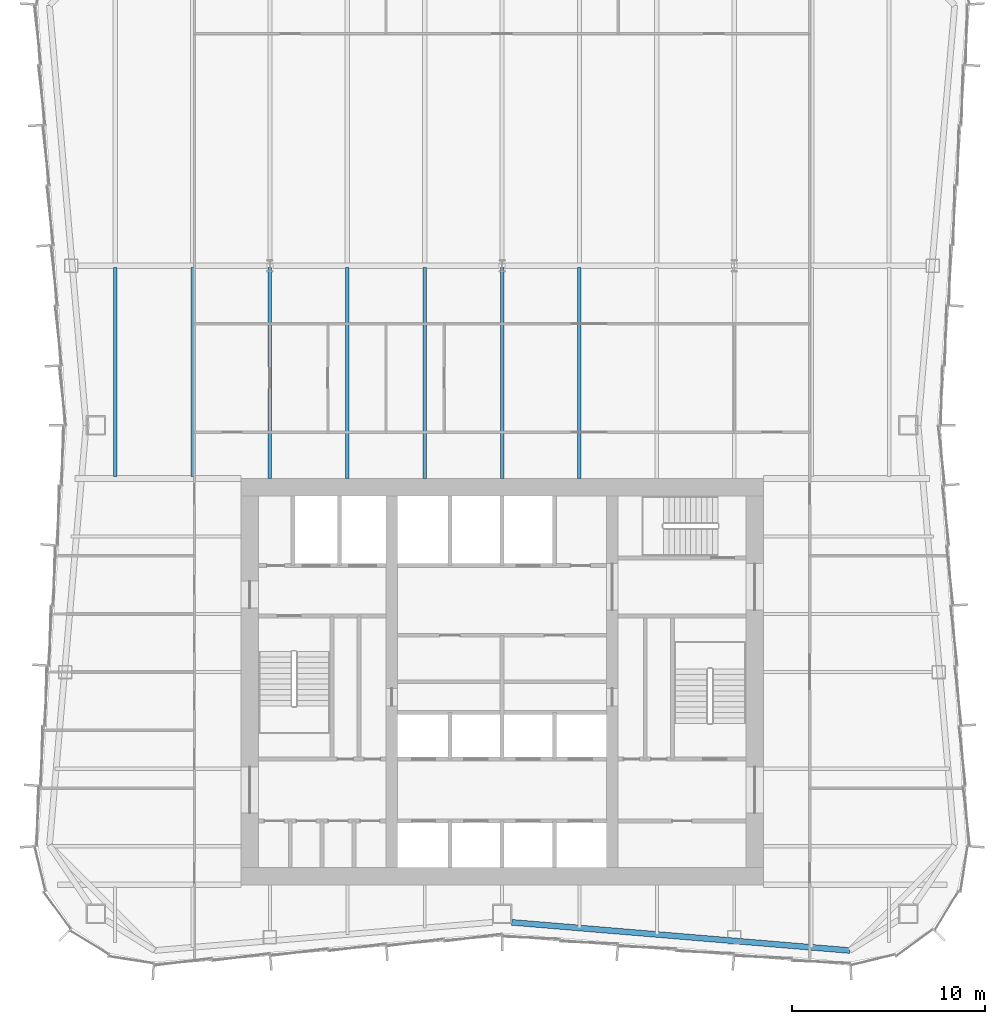
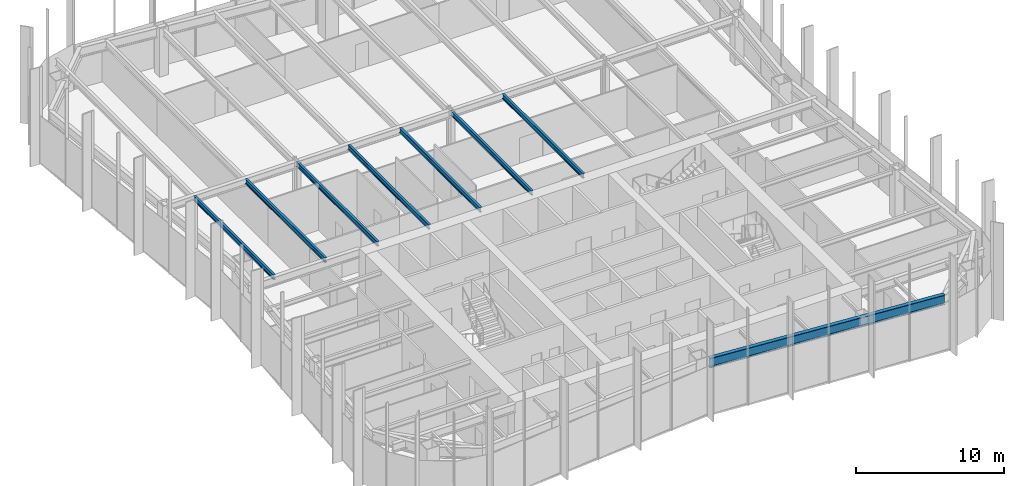
# One storey, part 3 of 13: 8 beams.
"""IFC4 building model written with IfcOpenShell, lengths in metres."""

import ifcopenshell
import ifcopenshell.guid

model = None  # the IFC model being written
_history = None  # IfcOwnerHistory: only IFC2X3 demands one
_inside = {}  # id of a spatial element -> (the spatial element, [elements in it])
_under = {}  # id of a project, library or spatial element -> (it, [spatial elements below it])
_declared = {}  # id of a project -> (the project, [libraries it declares])
_typed = {}  # id of a type object -> (the type object, [elements of that type])
_made_of = {}  # id of a material, layer set ... -> (it, [elements and type objects made of it])


def new_model(schema):
    """Start an empty IFC model of exactly this schema.

    Asked for "IFC4X3", IfcOpenShell would pick the latest addendum, in which some entities
    have other attributes; the version numbers below select the first issue.
    IFC2X3 requires an IfcOwnerHistory on every rooted entity: one is made here for all.
    """
    global model, _history
    if schema == "IFC4X3":
        model = ifcopenshell.file(schema_version=(4, 3, 0, 0))
    else:
        model = ifcopenshell.file(schema=schema)
    _inside.clear()
    _under.clear()
    _declared.clear()
    _typed.clear()
    _made_of.clear()
    _history = None
    if model.schema == "IFC2X3":
        org = make("IfcOrganization", Name="unknown")
        user = make(
            "IfcPersonAndOrganization",
            ThePerson=make("IfcPerson", FamilyName="unknown"),
            TheOrganization=org,
        )
        app = make(
            "IfcApplication",
            ApplicationDeveloper=org,
            Version="unknown",
            ApplicationFullName="unknown",
            ApplicationIdentifier="unknown",
        )
        _history = make(
            "IfcOwnerHistory",
            OwningUser=user,
            OwningApplication=app,
            ChangeAction="ADDED",
            CreationDate=0,
        )
    return model


def make(cls, **values):
    """One entity of the class cls with the attributes given. An attribute that is None is left unset."""
    return model.create_entity(
        cls, **{name: value for name, value in values.items() if value is not None}
    )


def rooted(cls, **values):
    """An entity with a GlobalId (a new one), such as an element, a storey or a relation."""
    return make(cls, GlobalId=ifcopenshell.guid.new(), OwnerHistory=_history, **values)


def si_unit(unit_type, name, prefix=None):
    """IfcSIUnit, for example si_unit("LENGTHUNIT", "METRE", prefix="MILLI")."""
    return make("IfcSIUnit", UnitType=unit_type, Prefix=prefix, Name=name)


def assignment(units):
    """IfcUnitAssignment: the units of a project."""
    return None if units is None else make("IfcUnitAssignment", Units=units)


def point(xyz):
    """IfcCartesianPoint."""
    return None if xyz is None else make("IfcCartesianPoint", Coordinates=xyz)


def direction(xyz):
    """IfcDirection."""
    return None if xyz is None else make("IfcDirection", DirectionRatios=xyz)


def frame(location, z_axis=None, x_axis=None):
    """IfcAxis2Placement3D, a coordinate frame: its origin and axes. An axis left out is left unset."""
    return make(
        "IfcAxis2Placement3D",
        Location=point(location),
        Axis=direction(z_axis),
        RefDirection=direction(x_axis),
    )


def frame_2d(location, x_axis=None):
    """IfcAxis2Placement2D, a coordinate frame in the plane: its origin and x axis."""
    return make(
        "IfcAxis2Placement2D", Location=point(location), RefDirection=direction(x_axis)
    )


def origin():
    """The frame at (0, 0, 0) with its axes left unset."""
    return frame((0.0, 0.0, 0.0))


def origin_2d():
    """The frame at (0, 0) in the plane with its x axis left unset."""
    return frame_2d((0.0, 0.0))


def place(relative_to, where):
    """IfcLocalPlacement: puts the frame where relative to a parent placement (None: the world)."""
    return make(
        "IfcLocalPlacement", PlacementRelTo=relative_to, RelativePlacement=where
    )


def context(
    kind, dimensions, precision=None, world=None, true_north=None, identifier=None
):
    """IfcGeometricRepresentationContext, for example the 3D "Model" context."""
    return make(
        "IfcGeometricRepresentationContext",
        ContextIdentifier=identifier,
        ContextType=kind,
        CoordinateSpaceDimension=dimensions,
        Precision=precision,
        WorldCoordinateSystem=world,
        TrueNorth=true_north,
    )


def subcontext(parent, identifier, kind, view, scale=None):
    """IfcGeometricRepresentationSubContext, for example "Body" below "Model"."""
    return make(
        "IfcGeometricRepresentationSubContext",
        ContextIdentifier=identifier,
        ContextType=kind,
        ParentContext=parent,
        TargetScale=scale,
        TargetView=view,
    )


def project(units=None, contexts=None):
    """IfcProject with its units and contexts."""
    return rooted(
        "IfcProject",
        Name="project",
        RepresentationContexts=contexts,
        UnitsInContext=assignment(units),
    )


def spatial(cls, under=None, at=None, **own):
    """A site, building, storey or space (cls), placed at a placement, below another one or the project."""
    s = rooted(cls, ObjectPlacement=at, **own)
    if under is not None:
        _under.setdefault(under.id(), (under, []))[1].append(s)
    return s


def profile(cls, at=None, kind="AREA", **sizes):
    """A parametric profile (cls). Its sizes go by their IFC names, for example OverallWidth=200.0."""
    return make(cls, ProfileType=kind, Position=at, **sizes)


def i_section(**sizes):
    """IfcIShapeProfileDef."""
    return profile("IfcIShapeProfileDef", **sizes)


def extrude(swept, where, along, depth):
    """IfcExtrudedAreaSolid: the profile swept, set in the frame where, extruded along a direction by depth."""
    return make(
        "IfcExtrudedAreaSolid",
        SweptArea=swept,
        Position=where,
        ExtrudedDirection=direction(along),
        Depth=depth,
    )


def shape(context_of_items, identifier, shape_type, items):
    """IfcShapeRepresentation: the items that make up one representation, for example the "Body"."""
    return make(
        "IfcShapeRepresentation",
        ContextOfItems=context_of_items,
        RepresentationIdentifier=identifier,
        RepresentationType=shape_type,
        Items=items,
    )


def material(Name=None, Category=None):
    """IfcMaterial."""
    return make("IfcMaterial", Name=Name, Category=Category)


def material_profile(
    of_material, cross_section, Name=None, Category=None, Priority=None
):
    """IfcMaterialProfile: a cross section and its material."""
    return make(
        "IfcMaterialProfile",
        Name=Name,
        Material=of_material,
        Profile=cross_section,
        Priority=Priority,
        Category=Category,
    )


def profile_set(profiles, Name=None, composite=None):
    """IfcMaterialProfileSet."""
    return make(
        "IfcMaterialProfileSet",
        Name=Name,
        MaterialProfiles=profiles,
        CompositeProfile=composite,
    )


def made_of(thing, what):
    """Note that an element or type object is made of a material, layer set ...; save() writes the relation."""
    if what is not None:
        _made_of.setdefault(what.id(), (what, []))[1].append(thing)
    return thing


def type_object(cls, material=None, **own):
    """A type object (cls), such as IfcWallType, which elements share."""
    return made_of(rooted(cls, **own), material)


def element(
    cls,
    number,
    at=None,
    inside=None,
    cuts=None,
    type_object=None,
    material=None,
    context=None,
    identifier="Body",
    shape_type=None,
    held_by="IfcProductDefinitionShape",
    body=None,
    shapes=None,
    **own,
):
    """One element of the class cls, such as IfcWall. Its Tag is "e" and its number.

    at: its placement. inside: the storey or other place that contains it. cuts: it is an
    opening in that element (IfcRelVoidsElement). A single representation is given by context,
    identifier, shape_type and body (its items); several are given by shapes. held_by: the class
    of the entity that holds the representations. save() writes the other relations.
    """
    e = rooted(cls, Tag="e%d" % number, ObjectPlacement=at, **own)
    if body is not None:
        shapes = [shape(context, identifier, shape_type, body)]
    if shapes is not None:
        e.Representation = make(held_by, Representations=shapes)
    if inside is not None:
        _inside.setdefault(inside.id(), (inside, []))[1].append(e)
    if cuts is not None:
        rooted(
            "IfcRelVoidsElement", RelatingBuildingElement=cuts, RelatedOpeningElement=e
        )
    if type_object is not None:
        _typed.setdefault(type_object.id(), (type_object, []))[1].append(e)
    return made_of(e, material)


def aggregate(whole, parts):
    """IfcRelAggregates: a whole, such as a stair, and the parts it consists of."""
    return rooted("IfcRelAggregates", RelatingObject=whole, RelatedObjects=parts)


def save(model, path):
    """Write the relations noted so far, then the file.

    IfcRelAggregates (storeys below a building ...), IfcRelContainedInSpatialStructure (elements
    in a storey), IfcRelDefinesByType, IfcRelAssociatesMaterial and IfcRelDeclares: one each for
    every whole, place, type object, material and project.
    """
    for whole, parts in _under.values():
        aggregate(whole, parts)
    for where, things in _inside.values():
        rooted(
            "IfcRelContainedInSpatialStructure",
            RelatedElements=things,
            RelatingStructure=where,
        )
    for kind, things in _typed.values():
        rooted("IfcRelDefinesByType", RelatedObjects=things, RelatingType=kind)
    for what, things in _made_of.values():
        rooted("IfcRelAssociatesMaterial", RelatedObjects=things, RelatingMaterial=what)
    for by, libraries in _declared.values():
        rooted("IfcRelDeclares", RelatingContext=by, RelatedDefinitions=libraries)
    model.write(path)


model = new_model("IFC4")

# Units and contexts
model_context = context("Model", 3, precision=1e-05, world=origin(), true_north=direction((0.0, 1.0)))
body_context = subcontext(model_context, "Body", "Model", "MODEL_VIEW")
ifc_project = project(units=[si_unit("LENGTHUNIT", "METRE"), si_unit("AREAUNIT", "SQUARE_METRE"), si_unit("VOLUMEUNIT", "CUBIC_METRE"), si_unit("PLANEANGLEUNIT", "RADIAN"), si_unit("MASSUNIT", "GRAM", prefix="KILO")], contexts=[model_context])

# Site, building, storey
site_placement = place(None, origin())
site = spatial("IfcSite", under=ifc_project, at=site_placement, CompositionType="ELEMENT")
building_placement = place(site_placement, origin())
building = spatial("IfcBuilding", under=site, at=building_placement, Name="Verdant Reach Tower", CompositionType="ELEMENT")
storey_placement = place(building_placement, frame((0.0, 0.0, 218.0)))
storey = spatial("IfcBuildingStorey", under=building, at=storey_placement, Name="L50", CompositionType="ELEMENT", Elevation=218.0)

# Beams
ifc_material = material(Name="Steel S355", Category="steel")
ifc_material_profile_1 = material_profile(ifc_material, i_section(OverallWidth=0.179931640625, OverallDepth=0.39990234375, WebThickness=0.008544921875, FlangeThickness=0.013427734375, FilletRadius=0.02099609375, at=origin_2d()), Name="IPE 400")
ifc_profile_set_1 = profile_set([ifc_material_profile_1], Name="Steel S355")
beam_type_1 = type_object("IfcBeamType", Name="ST-JOIST-IPE400", PredefinedType="JOIST", material=ifc_profile_set_1)
for number, where, z_axis, x_axis, name in (
    (1, (-20.0, 38.60009765625, 3.669921875), (0.0, 1.0, 0.0), (-1.0, 0.0, 0.0), "Floor joist, L50"),
    (2, (-16.0, 38.60009765625, 3.669921875), (0.0, 1.0, 0.0), (-1.0, 0.0, 0.0), "Floor joist, L50"),
):
    element("IfcBeam", number, at=place(storey_placement, frame(where, z_axis=z_axis, x_axis=x_axis)), inside=storey, type_object=beam_type_1, Name=name, PredefinedType="JOIST", context=body_context, shape_type="SweptSolid", body=[
        extrude(i_section(OverallWidth=0.179931640625, OverallDepth=0.39990234375, WebThickness=0.008544921875, FlangeThickness=0.013427734375, FilletRadius=0.02099609375, at=origin_2d()), origin(), (0.0, 0.0, 1.0), 10.7998046875),
    ])
for number, where, z_axis, x_axis, name in (
    (3, (-12.0, 38.5, 3.669921875), (0.0, 1.0, 0.0), (-1.0, 0.0, 0.0), "Floor joist, L50"),
    (4, (-8.0, 38.5, 3.669921875), (0.0, 1.0, 0.0), (-1.0, 0.0, 0.0), "Floor joist, L50"),
    (5, (-4.0, 38.5, 3.669921875), (0.0, 1.0, 0.0), (-1.0, 0.0, 0.0), "Floor joist, L50"),
    (6, (0.0, 38.5, 3.669921875), (0.0, 1.0, 0.0), (-1.0, 0.0, 0.0), "Floor joist, L50"),
    (7, (4.0, 38.5, 3.669921875), (0.0, 1.0, 0.0), (-1.0, 0.0, 0.0), "Floor joist, L50"),
):
    element("IfcBeam", number, at=place(storey_placement, frame(where, z_axis=z_axis, x_axis=x_axis)), inside=storey, type_object=beam_type_1, Name=name, PredefinedType="JOIST", context=body_context, shape_type="SweptSolid", body=[
        extrude(i_section(OverallWidth=0.179931640625, OverallDepth=0.39990234375, WebThickness=0.008544921875, FlangeThickness=0.013427734375, FilletRadius=0.02099609375, at=origin_2d()), origin(), (0.0, 0.0, 1.0), 10.89990234375),
    ])
ifc_material_profile_2 = material_profile(ifc_material, i_section(OverallWidth=0.300048828125, OverallDepth=0.800048828125, WebThickness=0.017578125, FlangeThickness=0.032958984375, FilletRadius=0.030029296875, at=origin_2d()), Name="HEB 800")
ifc_profile_set_2 = profile_set([ifc_material_profile_2], Name="Steel S355")
beam_type_2 = type_object("IfcBeamType", Name="ST-SPANDREL-HEB800", PredefinedType="SPANDREL", material=ifc_profile_set_2)
beam_placement = place(storey_placement, frame((17.9658203125, 14.10498046875, 3.469970703125), z_axis=(-0.99654652675, 0.083036257282, 0.0), x_axis=(-0.083036257282, -0.99654652675, 0.0)))
element("IfcBeam", 8, at=beam_placement, inside=storey, type_object=beam_type_2, Name="Edge beam, L50", PredefinedType="SPANDREL", context=body_context, shape_type="SweptSolid", body=[
    extrude(i_section(OverallWidth=0.300048828125, OverallDepth=0.800048828125, WebThickness=0.017578125, FlangeThickness=0.032958984375, FilletRadius=0.030029296875, at=origin_2d()), origin(), (0.0, 0.0, 1.0), 17.5263671875),
])

save(model, "model.ifc")
